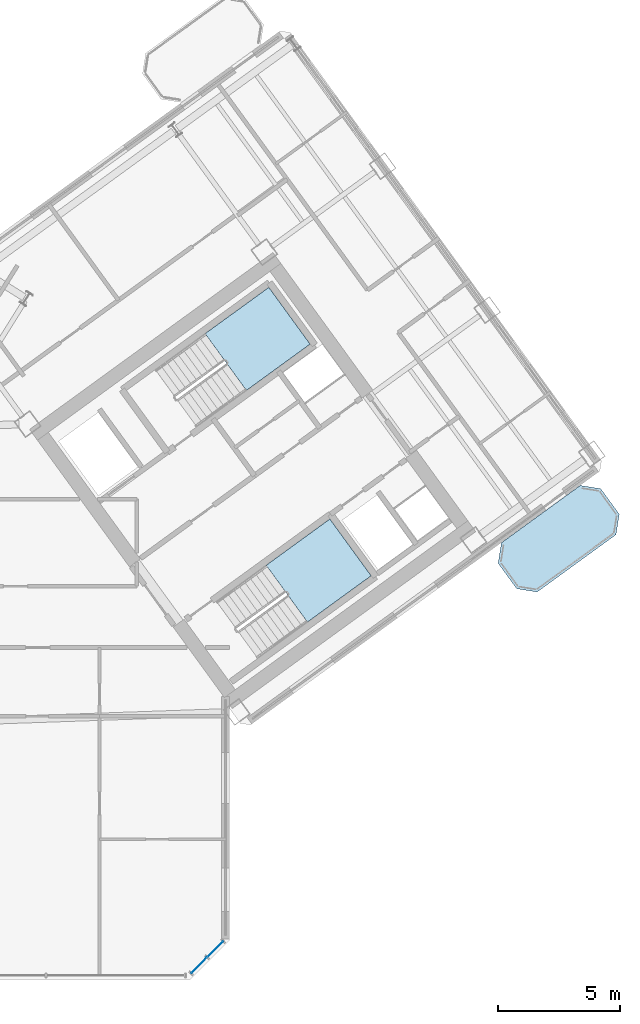
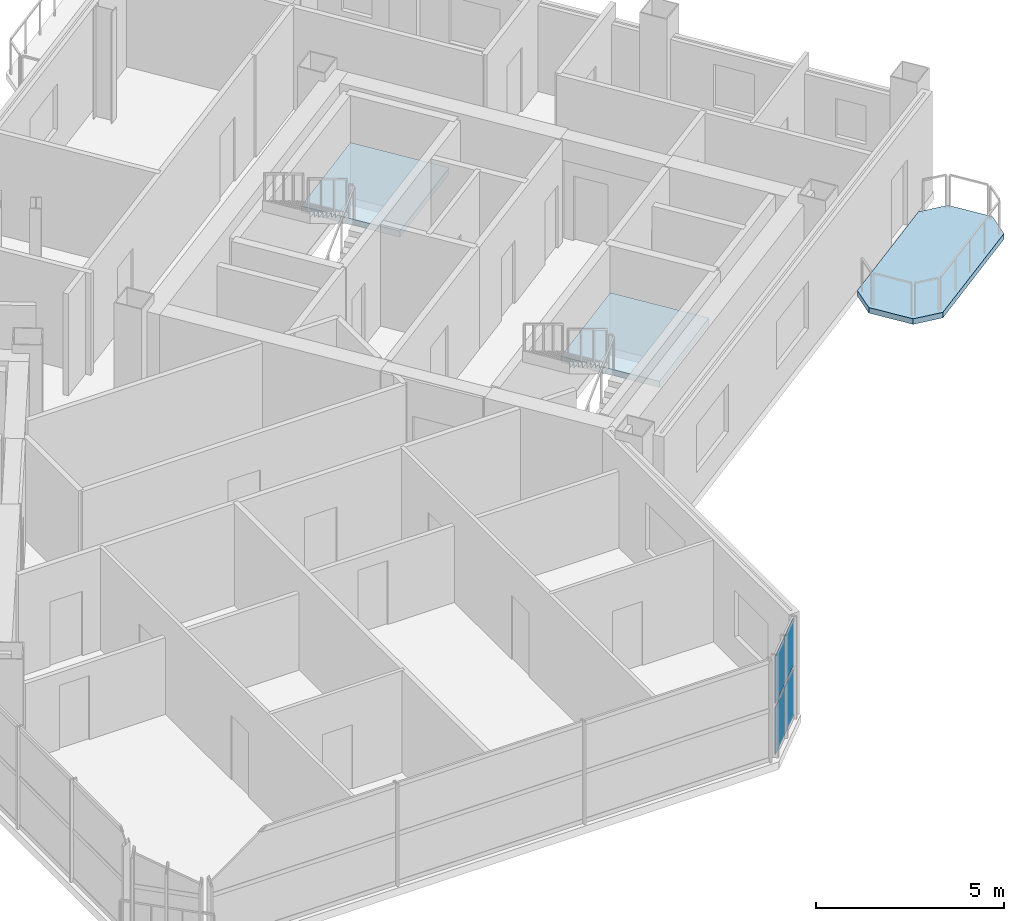
# One storey, part 10 of 21: 4 plates, 3 slabs, 3 elements without a shape of their own.
"""IFC4 building model written with IfcOpenShell, lengths in metres."""

from ifc_helpers import new_model, si_unit, direction, frame, origin, origin_2d, place, context, subcontext, project, spatial, polyline, rectangle, outline, extrude, source, transform, mapped, material, layer, layer_set, type_object, element, aggregate, save


model = new_model("IFC4")

# Units and contexts
model_context = context("Model", 3, precision=1e-05, world=origin(), true_north=direction((0.0, 1.0)))
body_context = subcontext(model_context, "Body", "Model", "MODEL_VIEW")
ifc_project = project(units=[si_unit("LENGTHUNIT", "METRE"), si_unit("AREAUNIT", "SQUARE_METRE"), si_unit("VOLUMEUNIT", "CUBIC_METRE"), si_unit("PLANEANGLEUNIT", "RADIAN"), si_unit("MASSUNIT", "GRAM", prefix="KILO")], contexts=[model_context])

# Site, building, storey
site_placement = place(None, origin())
site = spatial("IfcSite", under=ifc_project, at=site_placement, CompositionType="ELEMENT")
building_placement = place(site_placement, origin())
building = spatial("IfcBuilding", under=site, at=building_placement, Name="Tlacorven Tower", CompositionType="ELEMENT")
storey_placement = place(building_placement, frame((0.0, 0.0, 191.39990234375)))
storey = spatial("IfcBuildingStorey", under=building, at=storey_placement, Name="L48", CompositionType="ELEMENT", Elevation=191.39990234375)

# Slab
ifc_material_1 = material(Name="Precast concrete C45/55", Category="concrete")
ifc_layer_1 = layer(ifc_material_1, 0.179931640625)
ifc_layer_set_1 = layer_set([ifc_layer_1], Name="Precast concrete C45/55")
slab_type_1 = type_object("IfcSlabType", Name="SL-BAL-180", PredefinedType="USERDEFINED", material=ifc_layer_set_1)
slab_1_placement = place(storey_placement, frame((0.0, 0.0, -0.179931640625)))
element("IfcSlab", 1, at=slab_1_placement, inside=storey, type_object=slab_type_1, Name="L48 East Wing Balcony Ribbon OUT", ObjectType="BALCONY SLAB", PredefinedType="USERDEFINED", context=body_context, shape_type="SweptSolid", body=[
    extrude(outline(polyline([(65.025634765625, 17.69482421875), (68.26171875, 20.046142578125), (68.394287109375, 20.884033203125), (67.633056640625, 21.931884765625), (66.795166015625, 22.064453125), (63.55908203125, 19.71337890625), (63.42626953125, 18.875244140625), (64.1875, 17.82763671875), (65.025634765625, 17.69482421875)])), origin(), (0.0, 0.0, 1.0), 0.179931640625),
])

# Stair, slab
ifc_material_2 = material(Name="Concrete C40/50", Category="concrete")
stair_type = type_object("IfcStairType", Name="ST-CORE-DLG", PredefinedType="HALF_TURN_STAIR", material=ifc_material_2)
stair_1_placement = place(storey_placement, origin())
stair_1 = element("IfcStair", 2, at=stair_1_placement, inside=storey, type_object=stair_type, Name="L48 Protected Exit Stair East 1", PredefinedType="HALF_TURN_STAIR")
ifc_layer_2 = layer(ifc_material_2, 0.199951171875)
ifc_layer_set_2 = layer_set([ifc_layer_2], Name="Concrete C40/50")
slab_type_2 = type_object("IfcSlabType", Name="SL-LND-200", PredefinedType="LANDING", material=ifc_layer_set_2)
slab_2_placement = place(storey_placement, frame((0.0, 0.0, 1.60009765625)))
slab_2 = element("IfcSlab", 3, at=slab_2_placement, type_object=slab_type_2, Name="ST-E1 landing 1", PredefinedType="LANDING", context=body_context, shape_type="SweptSolid", body=[
    extrude(outline(polyline([(53.09765625, 25.962890625), (55.7109375, 27.861572265625), (54.01806640625, 30.19140625), (51.40478515625, 28.29296875), (53.09765625, 25.962890625)])), origin(), (0.0, 0.0, 1.0), 0.199951171875),
])
aggregate(stair_1, [slab_2])

stair_2_placement = place(storey_placement, origin())
stair_2 = element("IfcStair", 4, at=stair_2_placement, inside=storey, type_object=stair_type, Name="L48 Protected Exit Stair East 2", PredefinedType="HALF_TURN_STAIR")
slab_3_placement = place(storey_placement, frame((0.0, 0.0, 1.60009765625)))
slab_3 = element("IfcSlab", 5, at=slab_3_placement, type_object=slab_type_2, Name="ST-E2 landing 1", PredefinedType="LANDING", context=body_context, shape_type="SweptSolid", body=[
    extrude(outline(polyline([(55.601806640625, 16.4599609375), (58.21484375, 18.3583984375), (56.52197265625, 20.6884765625), (53.908935546875, 18.789794921875), (55.601806640625, 16.4599609375)])), origin(), (0.0, 0.0, 1.0), 0.199951171875),
])
aggregate(stair_2, [slab_3])

# Curtain wall, plates
ifc_material_3 = material(Name="Dark solar low-E double glazing in aluminium frame", Category="aluminium")
curtain_wall_type = type_object("IfcCurtainWallType", Name="CW-TWR-MID", PredefinedType="USERDEFINED", material=ifc_material_3)
curtain_wall_placement = place(storey_placement, origin())
curtain_wall = element("IfcCurtainWall", 6, at=curtain_wall_placement, inside=storey, type_object=curtain_wall_type, Name="L48 CW-TWR-MID Curtain Wall 220", ObjectType="UNITISED CURTAIN WALL", PredefinedType="USERDEFINED")
ifc_material_4 = material(Name="High-wind dark solar tempered low-E glazing", Category="glass")
ifc_layer_3 = layer(ifc_material_4, 0.028076171875)
ifc_layer_set_3 = layer_set([ifc_layer_3], Name="High-wind dark solar tempered low-E glazing")
plate_type = type_object("IfcPlateType", Name="CWP-03", PredefinedType="CURTAIN_PANEL", material=ifc_layer_set_3)
shared_shape = source(origin(), body_context, "Body", "SweptSolid", [
    extrude(rectangle(XDim=0.885498046875, YDim=0.028076171875, at=origin_2d()), origin(), (0.0, 0.0, 1.0), 1.5380859375),
])
plate_1_placement = place(storey_placement, frame((51.816650390625, 3.04296875, 0.06103515625), z_axis=(0.0, 0.0, 1.0), x_axis=(-0.707106781187, -0.707106781187, 0.0)))
plate_1 = element("IfcPlate", 7, at=plate_1_placement, type_object=plate_type, Name="CW-L48-220 Glazing Panel 1", PredefinedType="CURTAIN_PANEL", context=body_context, shape_type="MappedRepresentation", body=[
    mapped(shared_shape, transform((0.0, 0.0, 0.0), scale=1.0)),
])
plate_2_placement = place(storey_placement, frame((51.816650390625, 3.04296875, 1.720947265625), z_axis=(0.0, 0.0, 1.0), x_axis=(-0.707106781187, -0.707106781187, 0.0)))
plate_2 = element("IfcPlate", 8, at=plate_2_placement, type_object=plate_type, Name="CW-L48-220 Glazing Panel 2", PredefinedType="CURTAIN_PANEL", context=body_context, shape_type="MappedRepresentation", body=[
    mapped(shared_shape, transform((0.0, 0.0, 0.0), scale=1.0)),
])
plate_3_placement = place(storey_placement, frame((51.1572265625, 2.38330078125, 0.06103515625), z_axis=(0.0, 0.0, 1.0), x_axis=(-0.707106781187, -0.707106781187, 0.0)))
plate_3 = element("IfcPlate", 9, at=plate_3_placement, type_object=plate_type, Name="CW-L48-220 Glazing Panel 3", PredefinedType="CURTAIN_PANEL", context=body_context, shape_type="MappedRepresentation", body=[
    mapped(shared_shape, transform((0.0, 0.0, 0.0), scale=1.0)),
])
plate_4_placement = place(storey_placement, frame((51.1572265625, 2.38330078125, 1.720947265625), z_axis=(0.0, 0.0, 1.0), x_axis=(-0.707106781187, -0.707106781187, 0.0)))
plate_4 = element("IfcPlate", 10, at=plate_4_placement, type_object=plate_type, Name="CW-L48-220 Glazing Panel 4", PredefinedType="CURTAIN_PANEL", context=body_context, shape_type="MappedRepresentation", body=[
    mapped(shared_shape, transform((0.0, 0.0, 0.0), scale=1.0)),
])
aggregate(curtain_wall, [plate_1, plate_2, plate_3, plate_4])

save(model, "model.ifc")
